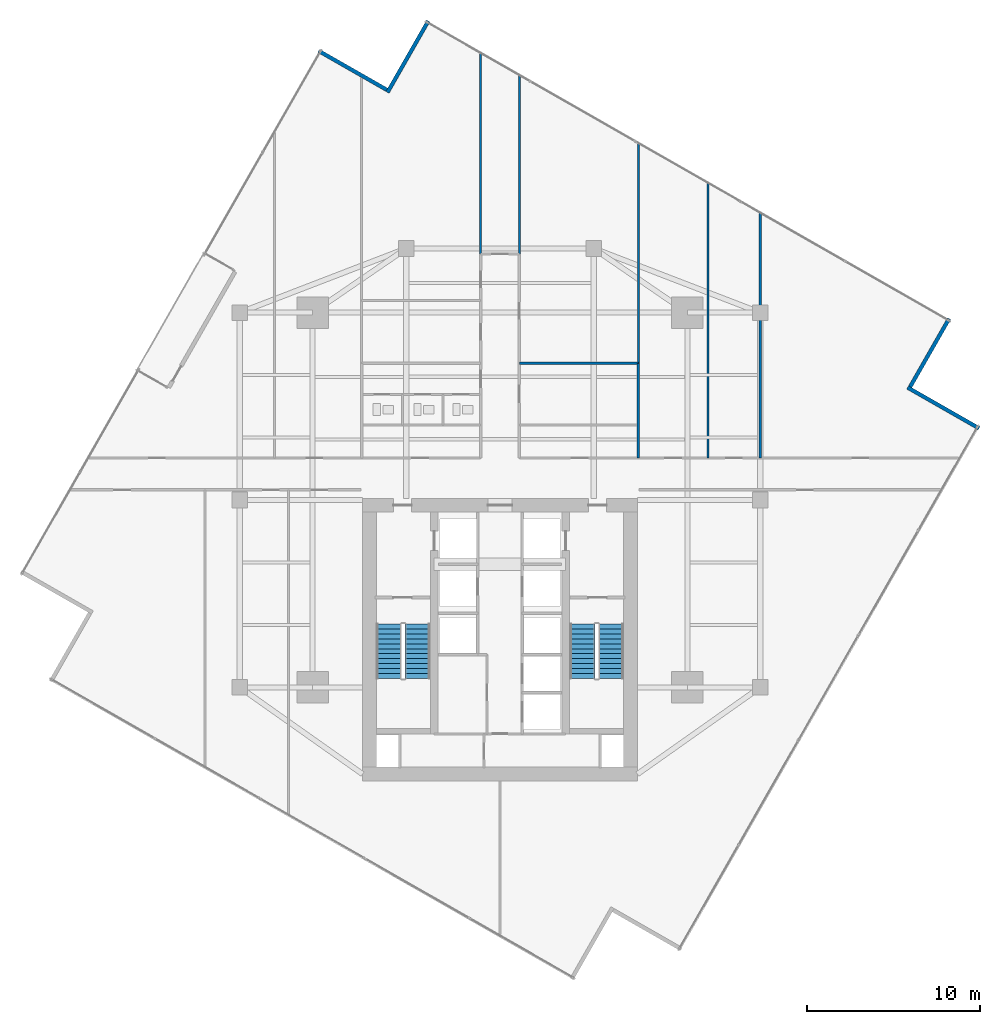
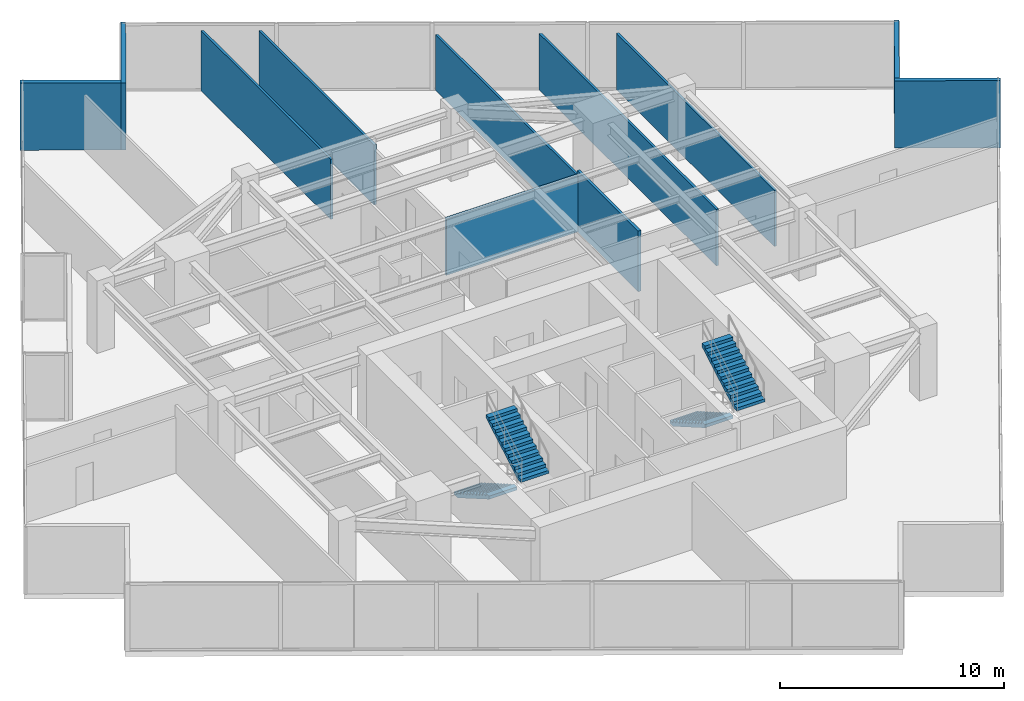
# One storey, part 22 of 24: 11 walls, 4 stair flights, 2 elements without a shape of their own.
"""IFC4 building model written with IfcOpenShell, lengths in metres."""

from ifc_helpers import new_model, si_unit, direction, frame, frame_2d, origin, place, context, subcontext, project, spatial, polyline, rectangle, outline, extrude, material, layer, layer_set, type_object, element, aggregate, save


model = new_model("IFC4")

# Units and contexts
model_context = context("Model", 3, precision=1e-05, world=origin(), true_north=direction((0.0, 1.0)))
body_context = subcontext(model_context, "Body", "Model", "MODEL_VIEW")
ifc_project = project(units=[si_unit("LENGTHUNIT", "METRE"), si_unit("AREAUNIT", "SQUARE_METRE"), si_unit("VOLUMEUNIT", "CUBIC_METRE"), si_unit("PLANEANGLEUNIT", "RADIAN"), si_unit("MASSUNIT", "GRAM", prefix="KILO")], contexts=[model_context])

# Site, building, storey
site_placement = place(None, origin())
site = spatial("IfcSite", under=ifc_project, at=site_placement, CompositionType="ELEMENT")
building_placement = place(site_placement, origin())
building = spatial("IfcBuilding", under=site, at=building_placement, Name="Krantzveldt Concourse Tower", CompositionType="ELEMENT")
storey_placement = place(building_placement, frame((0.0, 0.0, 165.949951171875)))
storey = spatial("IfcBuildingStorey", under=building, at=storey_placement, Name="L40", CompositionType="ELEMENT", Elevation=165.949951171875)

# Walls
ifc_material_1 = material(Name="Anodised aluminium 6063-T6", Category="aluminium")
ifc_layer_1 = layer(ifc_material_1, 0.219970703125, Name="Anodised aluminium 6063-T6", Category="aluminium")
ifc_layer_set_1 = layer_set([ifc_layer_1], Name="Anodised aluminium 6063-T6 (WL-EXT-NOTCH220)")
wall_type_1 = type_object("IfcWallType", Name="WL-EXT-NOTCH220", PredefinedType="ELEMENTEDWALL", material=ifc_layer_set_1)
wall_1_placement = place(storey_placement, frame((29.472900390625, 50.34521484375, 0.0), z_axis=(0.0, 0.0, 1.0), x_axis=(-0.868170087613, 0.496266761908, 0.0)))
element("IfcWall", 1, at=wall_1_placement, inside=storey, type_object=wall_type_1, Name="EW-L40-NCH00", PredefinedType="ELEMENTEDWALL", context=body_context, shape_type="SweptSolid", body=[
    extrude(rectangle(XDim=4.52490234375, YDim=0.219970703125, at=frame_2d((2.262451171875, 0.0))), origin(), (0.0, 0.0, 1.0), 3.670166015625),
])
wall_2_placement = place(storey_placement, frame((63.61474609375, 30.83154296875, 0.0), z_axis=(0.0, 0.0, 1.0), x_axis=(-0.868170306664, 0.496266378698, 0.0)))
element("IfcWall", 2, at=wall_2_placement, inside=storey, type_object=wall_type_1, Name="EW-L40-NCH12", PredefinedType="ELEMENTEDWALL", context=body_context, shape_type="SweptSolid", body=[
    extrude(rectangle(XDim=4.744873046875, YDim=0.219970703125, at=frame_2d((2.37255859375, 0.0))), origin(), (0.0, 0.0, 1.0), 3.670166015625),
])
wall_3_placement = place(storey_placement, frame((59.645263671875, 33.22705078125, 0.0), z_axis=(0.0, 0.0, 1.0), x_axis=(0.496202850194, 0.868206617954, 0.0)))
element("IfcWall", 3, at=wall_3_placement, inside=storey, type_object=wall_type_1, Name="EW-L40-NCH13", PredefinedType="ELEMENTEDWALL", context=body_context, shape_type="SweptSolid", body=[
    extrude(rectangle(XDim=4.525146484375, YDim=0.219970703125, at=frame_2d((2.2626953125, 0.0))), origin(), (0.0, 0.0, 1.0), 3.670166015625),
])
wall_4_placement = place(storey_placement, frame((31.868408203125, 54.31494140625, 0.0), z_axis=(0.0, 0.0, 1.0), x_axis=(-0.496205429031, -0.868205144076, 0.0)))
element("IfcWall", 4, at=wall_4_placement, inside=storey, type_object=wall_type_1, Name="EW-L40-NCH15", PredefinedType="ELEMENTEDWALL", context=body_context, shape_type="SweptSolid", body=[
    extrude(rectangle(XDim=4.744873046875, YDim=0.219970703125, at=frame_2d((2.37255859375, 0.0))), origin(), (0.0, 0.0, 1.0), 3.670166015625),
])
ifc_material_2 = material(Name="Fire-rated gypsum plasterboard on steel stud", Category="steel")
ifc_layer_2 = layer(ifc_material_2, 0.1201171875, Name="Fire-rated gypsum plasterboard on steel stud", Category="steel")
ifc_layer_set_2 = layer_set([ifc_layer_2], Name="Fire-rated gypsum plasterboard on steel stud (WL-PART-120)")
wall_type_2 = type_object("IfcWallType", Name="WL-PART-120", PredefinedType="PARTITIONING", material=ifc_layer_set_2)
wall_5_placement = place(storey_placement, frame((34.8798828125, 40.8798828125, 0.0), z_axis=(0.0, 0.0, 1.0), x_axis=(0.0, 1.0, 0.0)))
element("IfcWall", 5, at=wall_5_placement, inside=storey, type_object=wall_type_2, Name="WP-L40-NTL", PredefinedType="PARTITIONING", context=body_context, shape_type="SweptSolid", body=[
    extrude(rectangle(XDim=11.581298828125, YDim=0.1201171875, at=frame_2d((5.79052734375, 0.0))), origin(), (0.0, 0.0, 1.0), 3.280029296875),
])
wall_6_placement = place(storey_placement, frame((37.1201171875, 40.8798828125, 0.0), z_axis=(0.0, 0.0, 1.0), x_axis=(0.0, 1.0, 0.0)))
element("IfcWall", 6, at=wall_6_placement, inside=storey, type_object=wall_type_2, Name="WP-L40-NTR", PredefinedType="PARTITIONING", context=body_context, shape_type="SweptSolid", body=[
    extrude(rectangle(XDim=10.301025390625, YDim=0.1201171875, at=frame_2d((5.150390625, 0.0))), origin(), (0.0, 0.0, 1.0), 3.280029296875),
])
wall_7_placement = place(storey_placement, frame((43.97998046875, 34.580078125, 0.0), z_axis=(0.0, 0.0, 1.0), x_axis=(0.0, 1.0, 0.0)))
element("IfcWall", 7, at=wall_7_placement, inside=storey, type_object=wall_type_2, Name="WP-L40-ISER2", PredefinedType="PARTITIONING", context=body_context, shape_type="SweptSolid", body=[
    extrude(rectangle(XDim=12.679931640625, YDim=0.1201171875, at=frame_2d((6.33984375, 0.0))), origin(), (0.0, 0.0, 1.0), 3.030029296875),
])
wall_8_placement = place(storey_placement, frame((48.0, 29.1201171875, 0.0), z_axis=(0.0, 0.0, 1.0), x_axis=(0.0, 1.0, 0.0)))
element("IfcWall", 8, at=wall_8_placement, inside=storey, type_object=wall_type_2, Name="WP-L40-NEX1", PredefinedType="PARTITIONING", context=body_context, shape_type="SweptSolid", body=[
    extrude(rectangle(XDim=15.84228515625, YDim=0.1201171875, at=frame_2d((7.921142578125, 0.0))), origin(), (0.0, 0.0, 1.0), 3.080078125),
])
wall_9_placement = place(storey_placement, frame((51.0, 29.1201171875, 0.0), z_axis=(0.0, 0.0, 1.0), x_axis=(0.0, 1.0, 0.0)))
element("IfcWall", 9, at=wall_9_placement, inside=storey, type_object=wall_type_2, Name="WP-L40-NEX2", PredefinedType="PARTITIONING", context=body_context, shape_type="SweptSolid", body=[
    extrude(rectangle(XDim=14.127685546875, YDim=0.1201171875, at=frame_2d((7.06396484375, 0.0))), origin(), (0.0, 0.0, 1.0), 3.080078125),
])
ifc_layer_3 = layer(ifc_material_2, 0.139892578125, Name="Fire-rated gypsum plasterboard on steel stud", Category="steel")
ifc_layer_set_3 = layer_set([ifc_layer_3], Name="Fire-rated gypsum plasterboard on steel stud (WL-PART-140)")
wall_type_3 = type_object("IfcWallType", Name="WL-PART-140", PredefinedType="PARTITIONING", material=ifc_layer_set_3)
wall_10_placement = place(storey_placement, frame((37.1201171875, 34.580078125, 0.0), z_axis=(0.0, 0.0, 1.0), x_axis=(1.0, 0.0, 0.0)))
element("IfcWall", 10, at=wall_10_placement, inside=storey, type_object=wall_type_3, Name="WP-L40-ISNR", PredefinedType="PARTITIONING", context=body_context, shape_type="SweptSolid", body=[
    extrude(rectangle(XDim=6.85986328125, YDim=0.139892578125, at=frame_2d((3.429931640625, 0.0))), origin(), (0.0, 0.0, 1.0), 3.080078125),
])
wall_11_placement = place(storey_placement, frame((43.97998046875, 29.1201171875, 0.0), z_axis=(0.0, 0.0, 1.0), x_axis=(0.0, 1.0, 0.0)))
element("IfcWall", 11, at=wall_11_placement, inside=storey, type_object=wall_type_3, Name="WP-L40-ISER", PredefinedType="PARTITIONING", context=body_context, shape_type="SweptSolid", body=[
    extrude(rectangle(XDim=5.4599609375, YDim=0.139892578125, at=frame_2d((2.72998046875, 0.0))), origin(), (0.0, 0.0, 1.0), 3.31005859375),
])

# Stair, stair flights
ifc_material_3 = material(Name="Precast concrete C40/50", Category="concrete")
stair_type = type_object("IfcStairType", Name="STR-CORE-DOGLEG", PredefinedType="HALF_TURN_STAIR", material=ifc_material_3)
stair_1_placement = place(storey_placement, origin())
stair_1 = element("IfcStair", 12, at=stair_1_placement, inside=storey, type_object=stair_type, Name="L40 Protected Escape Stair ST-1", PredefinedType="HALF_TURN_STAIR")
stair_flight_type = type_object("IfcStairFlightType", Name="STF-CORE-1450", PredefinedType="STRAIGHT", material=ifc_material_3)
stair_flight_1_placement = place(storey_placement, frame((29.60498046875, 19.550048828125, 0.0), z_axis=(0.0, 0.0, 1.0), x_axis=(0.0, -1.0, 0.0)))
stair_flight_1 = element("IfcStairFlight", 13, at=stair_flight_1_placement, type_object=stair_flight_type, Name="ST-1 flight 1", NumberOfRisers=12, NumberOfTreads=11, PredefinedType="STRAIGHT", RiserHeight=0.164583333, TreadLength=0.285, context=body_context, shape_type="SweptSolid", body=[
    extrude(outline(polyline([(0.0, 0.0), (0.0, 0.16455078125), (0.284912109375, 0.16455078125), (0.284912109375, 0.3291015625), (0.570068359375, 0.3291015625), (0.570068359375, 0.49365234375), (0.85498046875, 0.49365234375), (0.85498046875, 0.658447265625), (1.139892578125, 0.658447265625), (1.139892578125, 0.822998046875), (1.425048828125, 0.822998046875), (1.425048828125, 0.987548828125), (1.7099609375, 0.987548828125), (1.7099609375, 1.152099609375), (1.9951171875, 1.152099609375), (1.9951171875, 1.316650390625), (2.280029296875, 1.316650390625), (2.280029296875, 1.481201171875), (2.56494140625, 1.481201171875), (2.56494140625, 1.645751953125), (2.85009765625, 1.645751953125), (2.85009765625, 1.810302734375), (3.135009765625, 1.810302734375), (3.135009765625, 1.97509765625), (3.135009765625, 1.63720703125), (0.2998046875, 0.0), (0.0, 0.0)])), frame((0.0, 0.72509765625, 0.0), z_axis=(0.0, -1.0, 0.0), x_axis=(1.0, 0.0, 0.0)), (0.0, 0.0, 1.0), 1.449951171875),
])
stair_flight_2_placement = place(storey_placement, frame((31.2548828125, 16.4150390625, 1.97509765625), z_axis=(0.0, 0.0, 1.0), x_axis=(0.0, 1.0, 0.0)))
stair_flight_2 = element("IfcStairFlight", 14, at=stair_flight_2_placement, type_object=stair_flight_type, Name="ST-1 flight 2", NumberOfRisers=12, NumberOfTreads=11, PredefinedType="STRAIGHT", RiserHeight=0.164583333, TreadLength=0.285, context=body_context, shape_type="SweptSolid", body=[
    extrude(outline(polyline([(0.0, 0.0), (0.0, 0.16455078125), (0.284912109375, 0.16455078125), (0.284912109375, 0.3291015625), (0.570068359375, 0.3291015625), (0.570068359375, 0.49365234375), (0.85498046875, 0.49365234375), (0.85498046875, 0.658447265625), (1.139892578125, 0.658447265625), (1.139892578125, 0.822998046875), (1.425048828125, 0.822998046875), (1.425048828125, 0.987548828125), (1.7099609375, 0.987548828125), (1.7099609375, 1.152099609375), (1.9951171875, 1.152099609375), (1.9951171875, 1.316650390625), (2.280029296875, 1.316650390625), (2.280029296875, 1.481201171875), (2.56494140625, 1.481201171875), (2.56494140625, 1.645751953125), (2.85009765625, 1.645751953125), (2.85009765625, 1.810302734375), (3.135009765625, 1.810302734375), (3.135009765625, 1.97509765625), (3.135009765625, 1.63720703125), (0.2998046875, 0.0), (0.0, 0.0)])), frame((0.0, 0.72509765625, 0.0), z_axis=(0.0, -1.0, 0.0), x_axis=(1.0, 0.0, 0.0)), (0.0, 0.0, 1.0), 1.449951171875),
])
aggregate(stair_1, [stair_flight_1, stair_flight_2])

stair_2_placement = place(storey_placement, origin())
stair_2 = element("IfcStair", 15, at=stair_2_placement, inside=storey, type_object=stair_type, Name="L40 Protected Escape Stair ST-2", PredefinedType="HALF_TURN_STAIR")
stair_flight_3_placement = place(storey_placement, frame((40.7451171875, 19.550048828125, 0.0), z_axis=(0.0, 0.0, 1.0), x_axis=(0.0, -1.0, 0.0)))
stair_flight_3 = element("IfcStairFlight", 16, at=stair_flight_3_placement, type_object=stair_flight_type, Name="ST-2 flight 1", NumberOfRisers=12, NumberOfTreads=11, PredefinedType="STRAIGHT", RiserHeight=0.164583333, TreadLength=0.285, context=body_context, shape_type="SweptSolid", body=[
    extrude(outline(polyline([(0.0, 0.0), (0.0, 0.16455078125), (0.284912109375, 0.16455078125), (0.284912109375, 0.3291015625), (0.570068359375, 0.3291015625), (0.570068359375, 0.49365234375), (0.85498046875, 0.49365234375), (0.85498046875, 0.658447265625), (1.139892578125, 0.658447265625), (1.139892578125, 0.822998046875), (1.425048828125, 0.822998046875), (1.425048828125, 0.987548828125), (1.7099609375, 0.987548828125), (1.7099609375, 1.152099609375), (1.9951171875, 1.152099609375), (1.9951171875, 1.316650390625), (2.280029296875, 1.316650390625), (2.280029296875, 1.481201171875), (2.56494140625, 1.481201171875), (2.56494140625, 1.645751953125), (2.85009765625, 1.645751953125), (2.85009765625, 1.810302734375), (3.135009765625, 1.810302734375), (3.135009765625, 1.97509765625), (3.135009765625, 1.63720703125), (0.2998046875, 0.0), (0.0, 0.0)])), frame((0.0, 0.72509765625, 0.0), z_axis=(0.0, -1.0, 0.0), x_axis=(1.0, 0.0, 0.0)), (0.0, 0.0, 1.0), 1.449951171875),
])
stair_flight_4_placement = place(storey_placement, frame((42.39501953125, 16.4150390625, 1.97509765625), z_axis=(0.0, 0.0, 1.0), x_axis=(0.0, 1.0, 0.0)))
stair_flight_4 = element("IfcStairFlight", 17, at=stair_flight_4_placement, type_object=stair_flight_type, Name="ST-2 flight 2", NumberOfRisers=12, NumberOfTreads=11, PredefinedType="STRAIGHT", RiserHeight=0.164583333, TreadLength=0.285, context=body_context, shape_type="SweptSolid", body=[
    extrude(outline(polyline([(0.0, 0.0), (0.0, 0.16455078125), (0.284912109375, 0.16455078125), (0.284912109375, 0.3291015625), (0.570068359375, 0.3291015625), (0.570068359375, 0.49365234375), (0.85498046875, 0.49365234375), (0.85498046875, 0.658447265625), (1.139892578125, 0.658447265625), (1.139892578125, 0.822998046875), (1.425048828125, 0.822998046875), (1.425048828125, 0.987548828125), (1.7099609375, 0.987548828125), (1.7099609375, 1.152099609375), (1.9951171875, 1.152099609375), (1.9951171875, 1.316650390625), (2.280029296875, 1.316650390625), (2.280029296875, 1.481201171875), (2.56494140625, 1.481201171875), (2.56494140625, 1.645751953125), (2.85009765625, 1.645751953125), (2.85009765625, 1.810302734375), (3.135009765625, 1.810302734375), (3.135009765625, 1.97509765625), (3.135009765625, 1.63720703125), (0.2998046875, 0.0), (0.0, 0.0)])), frame((0.0, 0.72509765625, 0.0), z_axis=(0.0, -1.0, 0.0), x_axis=(1.0, 0.0, 0.0)), (0.0, 0.0, 1.0), 1.449951171875),
])
aggregate(stair_2, [stair_flight_3, stair_flight_4])

save(model, "model.ifc")
